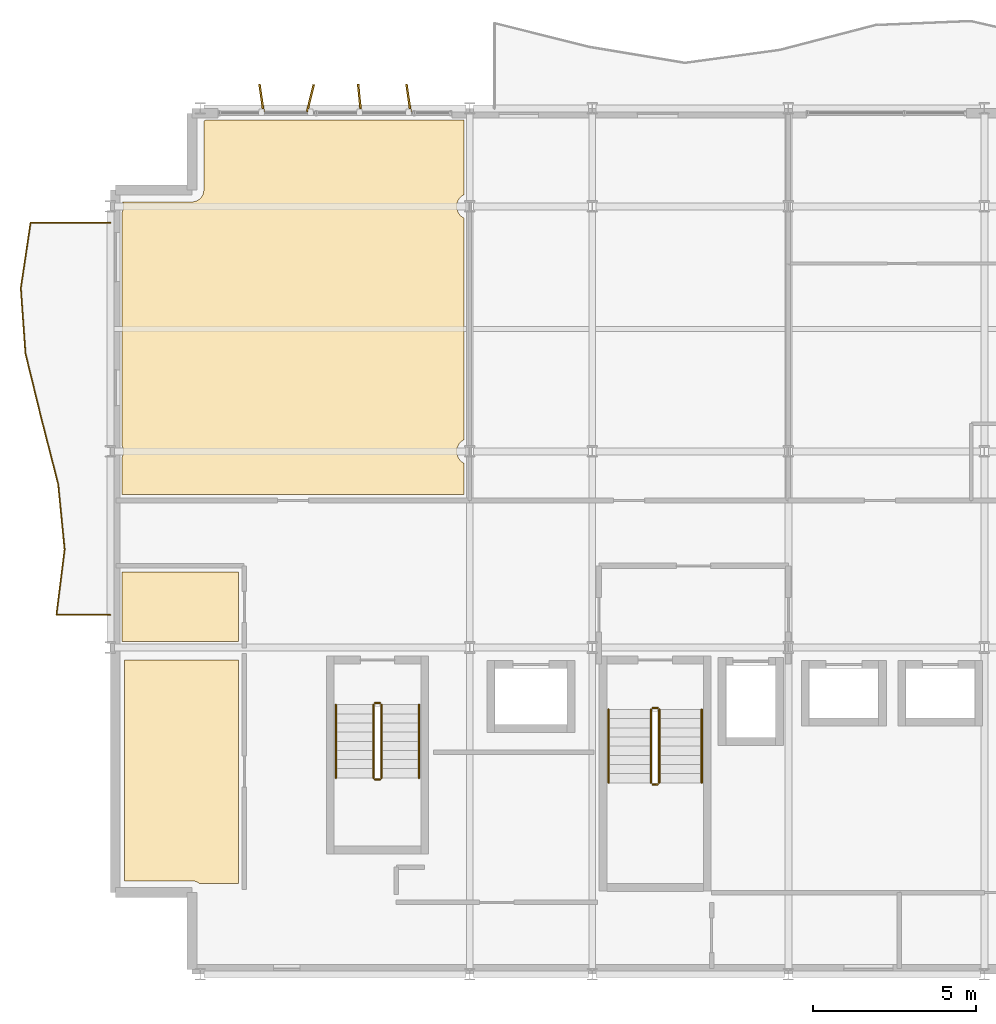
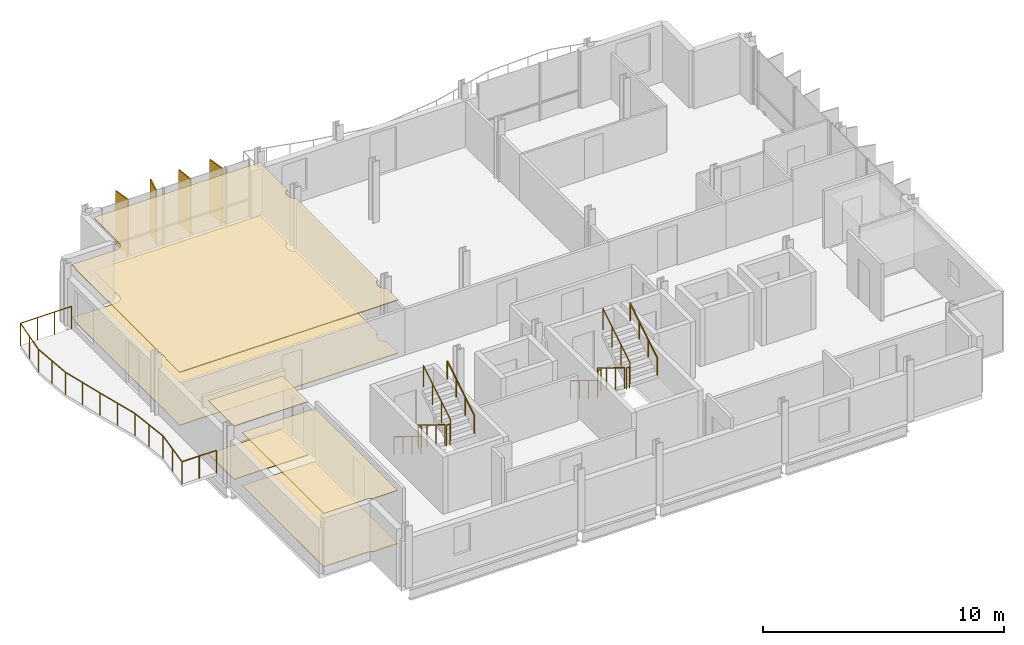
# One storey, part 11 of 12: 13 railings, 6 coverings, 4 shading devices.
"""IFC4 building model written with IfcOpenShell, lengths in metres."""

from ifc_helpers import new_model, si_unit, direction, frame, origin, origin_2d, place, context, subcontext, project, spatial, polyline, rectangle, circle, outline, extrude, material, layer, layer_set, type_object, element, save


model = new_model("IFC4")

# Units and contexts
model_context = context("Model", 3, precision=1e-05, world=origin(), true_north=direction((0.0, 1.0)))
body_context = subcontext(model_context, "Body", "Model", "MODEL_VIEW")
ifc_project = project(units=[si_unit("LENGTHUNIT", "METRE"), si_unit("AREAUNIT", "SQUARE_METRE"), si_unit("VOLUMEUNIT", "CUBIC_METRE"), si_unit("PLANEANGLEUNIT", "RADIAN"), si_unit("MASSUNIT", "GRAM", prefix="KILO")], contexts=[model_context])

# Site, building, storey
site_placement = place(None, origin())
site = spatial("IfcSite", under=ifc_project, at=site_placement, CompositionType="ELEMENT")
building_placement = place(site_placement, origin())
building = spatial("IfcBuilding", under=site, at=building_placement, Name="Brevholm Reach", CompositionType="ELEMENT")
storey_placement = place(building_placement, frame((0.0, 0.0, 230.39990234375)))
storey = spatial("IfcBuildingStorey", under=building, at=storey_placement, Name="L70", CompositionType="ELEMENT", Elevation=230.39990234375)

# Coverings
ifc_material_1 = material(Name="Perforated Mineral-Fibre Class-A Acoustic Suspended Ceiling", Category="gypsum")
ifc_layer_1 = layer(ifc_material_1, 0.044921875)
ifc_layer_set_1 = layer_set([ifc_layer_1], Name="Perforated Mineral-Fibre Class-A Acoustic Suspended Ceiling")
covering_type_1 = type_object("IfcCoveringType", Name="COV-CLG-AC", PredefinedType="CEILING", material=ifc_layer_set_1)
covering_1_placement = place(storey_placement, frame((0.0, 0.0, 2.675048828125)))
element("IfcCovering", 1, at=covering_1_placement, inside=storey, type_object=covering_type_1, Name="L70 Suspended Ceiling L70-23", PredefinedType="CEILING", context=body_context, shape_type="SweptSolid", body=[
    extrude(outline(polyline([(27.610107421875, 15.82666015625), (27.61962890625, 15.846923828125), (27.6328125, 15.8837890625), (27.642333984375, 15.922119140625), (27.648193359375, 15.960693359375), (27.64990234375, 16.0), (27.648193359375, 16.039306640625), (27.642333984375, 16.077880859375), (27.6328125, 16.1162109375), (27.61962890625, 16.153076171875), (27.610107421875, 16.17333984375), (27.610107421875, 23.32666015625), (27.61962890625, 23.346923828125), (27.6328125, 23.3837890625), (27.642333984375, 23.422119140625), (27.648193359375, 23.460693359375), (27.64990234375, 23.5), (27.648193359375, 23.539306640625), (27.642333984375, 23.577880859375), (27.6328125, 23.6162109375), (27.624267578125, 23.639892578125), (29.75, 23.639892578125), (29.767822265625, 23.640869140625), (29.802978515625, 23.644287109375), (29.8203125, 23.64697265625), (29.837158203125, 23.651123046875), (29.870849609375, 23.661376953125), (29.8876953125, 23.667236328125), (29.90380859375, 23.6748046875), (29.934814453125, 23.69140625), (29.949951171875, 23.70068359375), (29.964111328125, 23.711181640625), (29.991455078125, 23.7333984375), (30.004638671875, 23.745361328125), (30.0166015625, 23.758544921875), (30.038818359375, 23.785888671875), (30.04931640625, 23.800048828125), (30.05859375, 23.815185546875), (30.0751953125, 23.84619140625), (30.082763671875, 23.8623046875), (30.088623046875, 23.879150390625), (30.098876953125, 23.912841796875), (30.10302734375, 23.9296875), (30.105712890625, 23.947021484375), (30.109130859375, 23.982177734375), (30.110107421875, 24.0), (30.110107421875, 26.11572265625), (30.1162109375, 26.1171875), (30.153076171875, 26.13037109375), (30.17333984375, 26.139892578125), (38.070068359375, 26.139892578125), (38.070068359375, 23.856689453125), (38.061279296875, 23.852783203125), (38.02783203125, 23.83251953125), (37.99609375, 23.80908203125), (37.96728515625, 23.78271484375), (37.94091796875, 23.75390625), (37.91748046875, 23.72216796875), (37.897216796875, 23.688720703125), (37.88037109375, 23.653076171875), (37.8671875, 23.6162109375), (37.857666015625, 23.577880859375), (37.851806640625, 23.539306640625), (37.85009765625, 23.5), (37.851806640625, 23.460693359375), (37.857666015625, 23.422119140625), (37.8671875, 23.3837890625), (37.88037109375, 23.346923828125), (37.897216796875, 23.311279296875), (37.91748046875, 23.27783203125), (37.94091796875, 23.24609375), (37.96728515625, 23.21728515625), (37.99609375, 23.19091796875), (38.02783203125, 23.16748046875), (38.061279296875, 23.147216796875), (38.070068359375, 23.143310546875), (38.070068359375, 16.356689453125), (38.061279296875, 16.352783203125), (38.02783203125, 16.33251953125), (37.99609375, 16.30908203125), (37.96728515625, 16.28271484375), (37.94091796875, 16.25390625), (37.91748046875, 16.22216796875), (37.897216796875, 16.188720703125), (37.88037109375, 16.153076171875), (37.8671875, 16.1162109375), (37.857666015625, 16.077880859375), (37.851806640625, 16.039306640625), (37.85009765625, 16.0), (37.851806640625, 15.960693359375), (37.857666015625, 15.922119140625), (37.8671875, 15.8837890625), (37.88037109375, 15.846923828125), (37.897216796875, 15.811279296875), (37.91748046875, 15.77783203125), (37.94091796875, 15.74609375), (37.96728515625, 15.71728515625), (37.99609375, 15.69091796875), (38.02783203125, 15.66748046875), (38.061279296875, 15.647216796875), (38.070068359375, 15.643310546875), (38.070068359375, 14.68408203125), (27.610107421875, 14.68408203125), (27.610107421875, 15.82666015625)])), origin(), (0.0, 0.0, 1.0), 0.045166015625),
])
ifc_material_2 = material(Name="Moisture-Resistant Skimmed Gypsum Plasterboard Ceiling", Category="gypsum")
ifc_layer_2 = layer(ifc_material_2, 0.030029296875)
ifc_layer_set_2 = layer_set([ifc_layer_2], Name="Moisture-Resistant Skimmed Gypsum Plasterboard Ceiling")
covering_type_2 = type_object("IfcCoveringType", Name="COV-CLG-GYP", PredefinedType="CEILING", material=ifc_layer_set_2)
covering_2_placement = place(storey_placement, frame((0.0, 0.0, 2.690185546875)))
element("IfcCovering", 2, at=covering_2_placement, inside=storey, type_object=covering_type_2, Name="L70 Suspended Ceiling L70-11", PredefinedType="CEILING", context=body_context, shape_type="SweptSolid", body=[
    extrude(outline(polyline([(31.166015625, 9.6201171875), (31.166015625, 2.780029296875), (29.9736328125, 2.780029296875), (29.94189453125, 2.803466796875), (29.92724609375, 2.81298828125), (29.911865234375, 2.821533203125), (29.8955078125, 2.828125), (29.845703125, 2.845947265625), (29.82470703125, 2.85205078125), (29.802978515625, 2.855712890625), (29.767822265625, 2.859130859375), (29.75, 2.860107421875), (27.679931640625, 2.860107421875), (27.679931640625, 9.6201171875), (31.166015625, 9.6201171875)])), origin(), (0.0, 0.0, 1.0), 0.030029296875),
])
covering_3_placement = place(storey_placement, frame((0.0, 0.0, 2.690185546875)))
element("IfcCovering", 3, at=covering_3_placement, inside=storey, type_object=covering_type_2, Name="L70 Suspended Ceiling L70-22", PredefinedType="CEILING", context=body_context, shape_type="SweptSolid", body=[
    extrude(outline(polyline([(27.610107421875, 10.179931640625), (27.610107421875, 12.31591796875), (31.166015625, 12.31591796875), (31.166015625, 10.179931640625), (27.610107421875, 10.179931640625)])), origin(), (0.0, 0.0, 1.0), 0.030029296875),
])
ifc_material_3 = material(Name="Honed Portland-Aggregate Resin Terrazzo Flooring", Category="concrete")
ifc_layer_3 = layer(ifc_material_3, 0.031982421875)
ifc_layer_set_3 = layer_set([ifc_layer_3], Name="Honed Portland-Aggregate Resin Terrazzo Flooring")
covering_type_3 = type_object("IfcCoveringType", Name="COV-FLR-TRZ", PredefinedType="FLOORING", material=ifc_layer_set_3)
covering_4_placement = place(storey_placement, origin())
element("IfcCovering", 4, at=covering_4_placement, inside=storey, type_object=covering_type_3, Name="L70 Floor Finish L70-11", PredefinedType="FLOORING", context=body_context, shape_type="SweptSolid", body=[
    extrude(outline(polyline([(31.166015625, 9.6201171875), (31.166015625, 2.780029296875), (29.9736328125, 2.780029296875), (29.94189453125, 2.803466796875), (29.92724609375, 2.81298828125), (29.911865234375, 2.821533203125), (29.8955078125, 2.828125), (29.845703125, 2.845947265625), (29.82470703125, 2.85205078125), (29.802978515625, 2.855712890625), (29.767822265625, 2.859130859375), (29.75, 2.860107421875), (27.679931640625, 2.860107421875), (27.679931640625, 9.6201171875), (31.166015625, 9.6201171875)])), origin(), (0.0, 0.0, 1.0), 0.031982421875),
])
covering_5_placement = place(storey_placement, origin())
element("IfcCovering", 5, at=covering_5_placement, inside=storey, type_object=covering_type_3, Name="L70 Floor Finish L70-22", PredefinedType="FLOORING", context=body_context, shape_type="SweptSolid", body=[
    extrude(outline(polyline([(27.610107421875, 10.179931640625), (27.610107421875, 12.31591796875), (31.166015625, 12.31591796875), (31.166015625, 10.179931640625), (27.610107421875, 10.179931640625)])), origin(), (0.0, 0.0, 1.0), 0.031982421875),
])
covering_6_placement = place(storey_placement, origin())
element("IfcCovering", 6, at=covering_6_placement, inside=storey, type_object=covering_type_3, Name="L70 Floor Finish L70-23", PredefinedType="FLOORING", context=body_context, shape_type="SweptSolid", body=[
    extrude(outline(polyline([(27.610107421875, 15.82666015625), (27.61962890625, 15.846923828125), (27.6328125, 15.8837890625), (27.642333984375, 15.922119140625), (27.648193359375, 15.960693359375), (27.64990234375, 16.0), (27.648193359375, 16.039306640625), (27.642333984375, 16.077880859375), (27.6328125, 16.1162109375), (27.61962890625, 16.153076171875), (27.610107421875, 16.17333984375), (27.610107421875, 23.32666015625), (27.61962890625, 23.346923828125), (27.6328125, 23.3837890625), (27.642333984375, 23.422119140625), (27.648193359375, 23.460693359375), (27.64990234375, 23.5), (27.648193359375, 23.539306640625), (27.642333984375, 23.577880859375), (27.6328125, 23.6162109375), (27.624267578125, 23.639892578125), (29.75, 23.639892578125), (29.767822265625, 23.640869140625), (29.802978515625, 23.644287109375), (29.8203125, 23.64697265625), (29.837158203125, 23.651123046875), (29.870849609375, 23.661376953125), (29.8876953125, 23.667236328125), (29.90380859375, 23.6748046875), (29.934814453125, 23.69140625), (29.949951171875, 23.70068359375), (29.964111328125, 23.711181640625), (29.991455078125, 23.7333984375), (30.004638671875, 23.745361328125), (30.0166015625, 23.758544921875), (30.038818359375, 23.785888671875), (30.04931640625, 23.800048828125), (30.05859375, 23.815185546875), (30.0751953125, 23.84619140625), (30.082763671875, 23.8623046875), (30.088623046875, 23.879150390625), (30.098876953125, 23.912841796875), (30.10302734375, 23.9296875), (30.105712890625, 23.947021484375), (30.109130859375, 23.982177734375), (30.110107421875, 24.0), (30.110107421875, 26.11572265625), (30.1162109375, 26.1171875), (30.153076171875, 26.13037109375), (30.17333984375, 26.139892578125), (38.070068359375, 26.139892578125), (38.070068359375, 23.856689453125), (38.061279296875, 23.852783203125), (38.02783203125, 23.83251953125), (37.99609375, 23.80908203125), (37.96728515625, 23.78271484375), (37.94091796875, 23.75390625), (37.91748046875, 23.72216796875), (37.897216796875, 23.688720703125), (37.88037109375, 23.653076171875), (37.8671875, 23.6162109375), (37.857666015625, 23.577880859375), (37.851806640625, 23.539306640625), (37.85009765625, 23.5), (37.851806640625, 23.460693359375), (37.857666015625, 23.422119140625), (37.8671875, 23.3837890625), (37.88037109375, 23.346923828125), (37.897216796875, 23.311279296875), (37.91748046875, 23.27783203125), (37.94091796875, 23.24609375), (37.96728515625, 23.21728515625), (37.99609375, 23.19091796875), (38.02783203125, 23.16748046875), (38.061279296875, 23.147216796875), (38.070068359375, 23.143310546875), (38.070068359375, 16.356689453125), (38.061279296875, 16.352783203125), (38.02783203125, 16.33251953125), (37.99609375, 16.30908203125), (37.96728515625, 16.28271484375), (37.94091796875, 16.25390625), (37.91748046875, 16.22216796875), (37.897216796875, 16.188720703125), (37.88037109375, 16.153076171875), (37.8671875, 16.1162109375), (37.857666015625, 16.077880859375), (37.851806640625, 16.039306640625), (37.85009765625, 16.0), (37.851806640625, 15.960693359375), (37.857666015625, 15.922119140625), (37.8671875, 15.8837890625), (37.88037109375, 15.846923828125), (37.897216796875, 15.811279296875), (37.91748046875, 15.77783203125), (37.94091796875, 15.74609375), (37.96728515625, 15.71728515625), (37.99609375, 15.69091796875), (38.02783203125, 15.66748046875), (38.061279296875, 15.647216796875), (38.070068359375, 15.643310546875), (38.070068359375, 14.68408203125), (27.610107421875, 14.68408203125), (27.610107421875, 15.82666015625)])), origin(), (0.0, 0.0, 1.0), 0.031982421875),
])

# Railings
ifc_material_4 = material(Name="Brushed Stainless Steel EN 1.4401 and Laminated Glass", Category="steel")
railing_type_1 = type_object("IfcRailingType", Name="RAL-BALC-1150", PredefinedType="BALUSTRADE", material=ifc_material_4)
railing_1_placement = place(storey_placement, frame((27.25, 23.0, 0.0)))
element("IfcRailing", 7, at=railing_1_placement, inside=storey, type_object=railing_type_1, Name="L70 Guard Balustrade RAL-L70-BAL-SLOT", PredefinedType="BALUSTRADE", context=body_context, shape_type="SweptSolid", body=[
    extrude(circle(Radius=0.02392578125, at=origin_2d()), frame((0.0, 0.0, 1.1259765625), z_axis=(-1.0, 0.0, 0.0), x_axis=(0.0, -1.0, 0.0)), (0.0, 0.0, 1.0), 2.442626953125),
    extrude(circle(Radius=0.02392578125, at=origin_2d()), frame((-2.442626953125, 0.0, 1.1259765625), z_axis=(-0.147891766469, -0.989003551768, 0.0), x_axis=(0.989003551768, -0.147891766469, 0.0)), (0.0, 0.0, 1.0), 2.022216796875),
    extrude(circle(Radius=0.02392578125, at=origin_2d()), frame((-2.74169921875, -2.0, 1.1259765625), z_axis=(0.07086630237, -0.997485823051, 0.0), x_axis=(0.997485823051, 0.07086630237, 0.0)), (0.0, 0.0, 1.0), 2.005126953125),
    extrude(circle(Radius=0.02392578125, at=origin_2d()), frame((-2.599609375, -4.0, 1.1259765625), z_axis=(0.23762216248, -0.971357662192, 0.0), x_axis=(0.971357662192, 0.23762216248, 0.0)), (0.0, 0.0, 1.0), 2.05908203125),
    extrude(circle(Radius=0.02392578125, at=origin_2d()), frame((-2.1103515625, -6.0, 1.1259765625), z_axis=(0.248318451278, -0.968678453748, 0.0), x_axis=(0.968678453748, 0.248318451278, 0.0)), (0.0, 0.0, 1.0), 2.064697265625),
    extrude(circle(Radius=0.02392578125, at=origin_2d()), frame((-1.59765625, -8.0, 1.1259765625), z_axis=(0.097915884232, -0.995194694326, 0.0), x_axis=(0.995194694326, 0.097915884232, 0.0)), (0.0, 0.0, 1.0), 2.009765625),
    extrude(circle(Radius=0.02392578125, at=origin_2d()), frame((-1.40087890625, -10.0, 1.1259765625), z_axis=(-0.123676917918, -0.992322538278, 0.0), x_axis=(0.992322538278, -0.123676917918, 0.0)), (0.0, 0.0, 1.0), 2.015380859375),
    extrude(circle(Radius=0.02392578125, at=origin_2d()), frame((-1.650146484375, -12.0, 1.1259765625), z_axis=(1.0, 0.0, 0.0), x_axis=(0.0, 1.0, 0.0)), (0.0, 0.0, 1.0), 1.650146484375),
    extrude(circle(Radius=0.02099609375, at=origin_2d()), origin(), (0.0, 0.0, 1.0), 1.101806640625),
    extrude(circle(Radius=0.02099609375, at=origin_2d()), frame((-0.814208984375, 0.0, 0.0)), (0.0, 0.0, 1.0), 1.101806640625),
    extrude(circle(Radius=0.02099609375, at=origin_2d()), frame((-1.62841796875, 0.0, 0.0)), (0.0, 0.0, 1.0), 1.101806640625),
    extrude(circle(Radius=0.02099609375, at=origin_2d()), frame((-2.442626953125, 0.0, 0.0)), (0.0, 0.0, 1.0), 1.101806640625),
    extrude(circle(Radius=0.02099609375, at=origin_2d()), frame((-2.59228515625, -1.0, 0.0)), (0.0, 0.0, 1.0), 1.101806640625),
    extrude(circle(Radius=0.02099609375, at=origin_2d()), frame((-2.74169921875, -2.0, 0.0)), (0.0, 0.0, 1.0), 1.101806640625),
    extrude(circle(Radius=0.02099609375, at=origin_2d()), frame((-2.670654296875, -3.0, 0.0)), (0.0, 0.0, 1.0), 1.101806640625),
    extrude(circle(Radius=0.02099609375, at=origin_2d()), frame((-2.599609375, -4.0, 0.0)), (0.0, 0.0, 1.0), 1.101806640625),
    extrude(circle(Radius=0.02099609375, at=origin_2d()), frame((-2.35498046875, -5.0, 0.0)), (0.0, 0.0, 1.0), 1.101806640625),
    extrude(circle(Radius=0.02099609375, at=origin_2d()), frame((-2.1103515625, -6.0, 0.0)), (0.0, 0.0, 1.0), 1.101806640625),
    extrude(circle(Radius=0.02099609375, at=origin_2d()), frame((-1.85400390625, -7.0, 0.0)), (0.0, 0.0, 1.0), 1.101806640625),
    extrude(circle(Radius=0.02099609375, at=origin_2d()), frame((-1.59765625, -8.0, 0.0)), (0.0, 0.0, 1.0), 1.101806640625),
    extrude(circle(Radius=0.02099609375, at=origin_2d()), frame((-1.499267578125, -9.0, 0.0)), (0.0, 0.0, 1.0), 1.101806640625),
    extrude(circle(Radius=0.02099609375, at=origin_2d()), frame((-1.40087890625, -10.0, 0.0)), (0.0, 0.0, 1.0), 1.101806640625),
    extrude(circle(Radius=0.02099609375, at=origin_2d()), frame((-1.525390625, -11.0, 0.0)), (0.0, 0.0, 1.0), 1.101806640625),
    extrude(circle(Radius=0.02099609375, at=origin_2d()), frame((-1.650146484375, -12.0, 0.0)), (0.0, 0.0, 1.0), 1.101806640625),
    extrude(circle(Radius=0.02099609375, at=origin_2d()), frame((-0.8251953125, -12.0, 0.0)), (0.0, 0.0, 1.0), 1.101806640625),
    extrude(circle(Radius=0.02099609375, at=origin_2d()), frame((0.0, -12.0, 0.0)), (0.0, 0.0, 1.0), 1.101806640625),
])
ifc_material_5 = material(Name="Brushed Stainless Steel EN 1.4401 Continuous Handrail", Category="steel")
railing_type_2 = type_object("IfcRailingType", Name="RAL-HND-950", PredefinedType="HANDRAIL", material=ifc_material_5)
railing_2_placement = place(storey_placement, frame((42.5, 8.10009765625, 0.17236328125)))
element("IfcRailing", 8, at=railing_2_placement, inside=storey, type_object=railing_type_2, Name="L70 ST-2 stair handrail 1", PredefinedType="HANDRAIL", context=body_context, shape_type="SweptSolid", body=[
    extrude(circle(Radius=0.02392578125, at=origin_2d()), frame((0.0, 0.0, 0.8857421875), z_axis=(0.0, -0.85178898068, 0.523885037382), x_axis=(1.0, 0.0, 0.0)), (0.0, 0.0, 1.0), 2.629638671875),
    extrude(circle(Radius=0.02099609375, at=origin_2d()), origin(), (0.0, 0.0, 1.0), 0.86181640625),
    extrude(circle(Radius=0.02099609375, at=origin_2d()), frame((0.0, -0.74658203125, 0.459228515625)), (0.0, 0.0, 1.0), 0.86181640625),
    extrude(circle(Radius=0.02099609375, at=origin_2d()), frame((0.0, -1.493408203125, 0.91845703125)), (0.0, 0.0, 1.0), 0.86181640625),
    extrude(circle(Radius=0.02099609375, at=origin_2d()), frame((0.0, -2.239990234375, 1.377685546875)), (0.0, 0.0, 1.0), 0.86181640625),
])
railing_3_placement = place(storey_placement, frame((45.35009765625, 5.860107421875, 1.722412109375)))
element("IfcRailing", 9, at=railing_3_placement, inside=storey, type_object=railing_type_2, Name="L70 ST-2 stair handrail 2", PredefinedType="HANDRAIL", context=body_context, shape_type="SweptSolid", body=[
    extrude(circle(Radius=0.02392578125, at=origin_2d()), frame((0.0, 0.0, 0.8857421875), z_axis=(0.0, 0.85178898068, 0.523885037382), x_axis=(-1.0, 0.0, 0.0)), (0.0, 0.0, 1.0), 2.629638671875),
    extrude(circle(Radius=0.02099609375, at=origin_2d()), origin(), (0.0, 0.0, 1.0), 0.86181640625),
    extrude(circle(Radius=0.02099609375, at=origin_2d()), frame((0.0, 0.74658203125, 0.459228515625)), (0.0, 0.0, 1.0), 0.86181640625),
    extrude(circle(Radius=0.02099609375, at=origin_2d()), frame((0.0, 1.493408203125, 0.91845703125)), (0.0, 0.0, 1.0), 0.86181640625),
    extrude(circle(Radius=0.02099609375, at=origin_2d()), frame((0.0, 2.239990234375, 1.377685546875)), (0.0, 0.0, 1.0), 0.86181640625),
])
railing_4_placement = place(storey_placement, frame((34.14990234375, 8.25, 0.17236328125)))
element("IfcRailing", 10, at=railing_4_placement, inside=storey, type_object=railing_type_2, Name="L70 ST-3 stair handrail 1", PredefinedType="HANDRAIL", context=body_context, shape_type="SweptSolid", body=[
    extrude(circle(Radius=0.02392578125, at=origin_2d()), frame((0.0, 0.0, 0.8857421875), z_axis=(0.0, -0.85178898068, 0.523885037382), x_axis=(1.0, 0.0, 0.0)), (0.0, 0.0, 1.0), 2.629638671875),
    extrude(circle(Radius=0.02099609375, at=origin_2d()), origin(), (0.0, 0.0, 1.0), 0.86181640625),
    extrude(circle(Radius=0.02099609375, at=origin_2d()), frame((0.0, -0.74658203125, 0.459228515625)), (0.0, 0.0, 1.0), 0.86181640625),
    extrude(circle(Radius=0.02099609375, at=origin_2d()), frame((0.0, -1.493408203125, 0.91845703125)), (0.0, 0.0, 1.0), 0.86181640625),
    extrude(circle(Radius=0.02099609375, at=origin_2d()), frame((0.0, -2.239990234375, 1.377685546875)), (0.0, 0.0, 1.0), 0.86181640625),
])
railing_5_placement = place(storey_placement, frame((36.699951171875, 6.010009765625, 1.722412109375)))
element("IfcRailing", 11, at=railing_5_placement, inside=storey, type_object=railing_type_2, Name="L70 ST-3 stair handrail 2", PredefinedType="HANDRAIL", context=body_context, shape_type="SweptSolid", body=[
    extrude(circle(Radius=0.02392578125, at=origin_2d()), frame((0.0, 0.0, 0.8857421875), z_axis=(0.0, 0.85178898068, 0.523885037382), x_axis=(-1.0, 0.0, 0.0)), (0.0, 0.0, 1.0), 2.629638671875),
    extrude(circle(Radius=0.02099609375, at=origin_2d()), origin(), (0.0, 0.0, 1.0), 0.86181640625),
    extrude(circle(Radius=0.02099609375, at=origin_2d()), frame((0.0, 0.74658203125, 0.459228515625)), (0.0, 0.0, 1.0), 0.86181640625),
    extrude(circle(Radius=0.02099609375, at=origin_2d()), frame((0.0, 1.493408203125, 0.91845703125)), (0.0, 0.0, 1.0), 0.86181640625),
    extrude(circle(Radius=0.02099609375, at=origin_2d()), frame((0.0, 2.239990234375, 1.377685546875)), (0.0, 0.0, 1.0), 0.86181640625),
])
ifc_material_6 = material(Name="Painted Tubular Galvanised Steel S275JR Stair Guard", Category="steel")
railing_type_3 = type_object("IfcRailingType", Name="RAL-STG-1120", PredefinedType="BALUSTRADE", material=ifc_material_6)
railing_6_placement = place(storey_placement, frame((43.800048828125, 8.10009765625, 0.17236328125)))
element("IfcRailing", 12, at=railing_6_placement, inside=storey, type_object=railing_type_3, Name="L70 ST-2 stair guard 1", PredefinedType="BALUSTRADE", context=body_context, shape_type="SweptSolid", body=[
    extrude(circle(Radius=0.02392578125, at=origin_2d()), frame((0.0, 0.0, 1.076171875), z_axis=(0.0, -0.85178898068, 0.523885037382), x_axis=(1.0, 0.0, 0.0)), (0.0, 0.0, 1.0), 2.629638671875),
    extrude(circle(Radius=0.02099609375, at=origin_2d()), origin(), (0.0, 0.0, 1.0), 1.052001953125),
    extrude(circle(Radius=0.02099609375, at=origin_2d()), frame((0.0, -0.74658203125, 0.459228515625)), (0.0, 0.0, 1.0), 1.052001953125),
    extrude(circle(Radius=0.02099609375, at=origin_2d()), frame((0.0, -1.493408203125, 0.91845703125)), (0.0, 0.0, 1.0), 1.052001953125),
    extrude(circle(Radius=0.02099609375, at=origin_2d()), frame((0.0, -2.239990234375, 1.377685546875)), (0.0, 0.0, 1.0), 1.052001953125),
])
railing_7_placement = place(storey_placement, frame((43.85009765625, 5.81005859375, 1.550048828125)))
element("IfcRailing", 13, at=railing_7_placement, inside=storey, type_object=railing_type_3, Name="L70 ST-2 stair guard 2", PredefinedType="BALUSTRADE", context=body_context, shape_type="SweptSolid", body=[
    extrude(circle(Radius=0.02392578125, at=origin_2d()), frame((0.0, 0.0, 1.076171875), z_axis=(1.0, 0.0, 0.0), x_axis=(0.0, 1.0, 0.0)), (0.0, 0.0, 1.0), 0.14990234375),
    extrude(circle(Radius=0.02099609375, at=origin_2d()), origin(), (0.0, 0.0, 1.0), 1.052001953125),
    extrude(circle(Radius=0.02099609375, at=origin_2d()), frame((0.14990234375, 0.0, 0.0)), (0.0, 0.0, 1.0), 1.052001953125),
])
railing_8_placement = place(storey_placement, frame((44.050048828125, 5.860107421875, 1.722412109375)))
element("IfcRailing", 14, at=railing_8_placement, inside=storey, type_object=railing_type_3, Name="L70 ST-2 stair guard 3", PredefinedType="BALUSTRADE", context=body_context, shape_type="SweptSolid", body=[
    extrude(circle(Radius=0.02392578125, at=origin_2d()), frame((0.0, 0.0, 1.076171875), z_axis=(0.0, 0.85178898068, 0.523885037382), x_axis=(-1.0, 0.0, 0.0)), (0.0, 0.0, 1.0), 2.629638671875),
    extrude(circle(Radius=0.02099609375, at=origin_2d()), origin(), (0.0, 0.0, 1.0), 1.052001953125),
    extrude(circle(Radius=0.02099609375, at=origin_2d()), frame((0.0, 0.74658203125, 0.459228515625)), (0.0, 0.0, 1.0), 1.052001953125),
    extrude(circle(Radius=0.02099609375, at=origin_2d()), frame((0.0, 1.493408203125, 0.91845703125)), (0.0, 0.0, 1.0), 1.052001953125),
    extrude(circle(Radius=0.02099609375, at=origin_2d()), frame((0.0, 2.239990234375, 1.377685546875)), (0.0, 0.0, 1.0), 1.052001953125),
])
railing_9_placement = place(storey_placement, frame((43.85009765625, 8.14990234375, 0.0)))
element("IfcRailing", 15, at=railing_9_placement, inside=storey, type_object=railing_type_3, Name="L70 ST-2 stair guard 4", PredefinedType="BALUSTRADE", context=body_context, shape_type="SweptSolid", body=[
    extrude(circle(Radius=0.02392578125, at=origin_2d()), frame((0.0, 0.0, 1.076171875), z_axis=(1.0, 0.0, 0.0), x_axis=(0.0, 1.0, 0.0)), (0.0, 0.0, 1.0), 0.14990234375),
    extrude(circle(Radius=0.02099609375, at=origin_2d()), origin(), (0.0, 0.0, 1.0), 1.052001953125),
    extrude(circle(Radius=0.02099609375, at=origin_2d()), frame((0.14990234375, 0.0, 0.0)), (0.0, 0.0, 1.0), 1.052001953125),
])
railing_10_placement = place(storey_placement, frame((35.300048828125, 8.25, 0.17236328125)))
element("IfcRailing", 16, at=railing_10_placement, inside=storey, type_object=railing_type_3, Name="L70 ST-3 stair guard 1", PredefinedType="BALUSTRADE", context=body_context, shape_type="SweptSolid", body=[
    extrude(circle(Radius=0.02392578125, at=origin_2d()), frame((0.0, 0.0, 1.076171875), z_axis=(0.0, -0.85178898068, 0.523885037382), x_axis=(1.0, 0.0, 0.0)), (0.0, 0.0, 1.0), 2.629638671875),
    extrude(circle(Radius=0.02099609375, at=origin_2d()), origin(), (0.0, 0.0, 1.0), 1.052001953125),
    extrude(circle(Radius=0.02099609375, at=origin_2d()), frame((0.0, -0.74658203125, 0.459228515625)), (0.0, 0.0, 1.0), 1.052001953125),
    extrude(circle(Radius=0.02099609375, at=origin_2d()), frame((0.0, -1.493408203125, 0.91845703125)), (0.0, 0.0, 1.0), 1.052001953125),
    extrude(circle(Radius=0.02099609375, at=origin_2d()), frame((0.0, -2.239990234375, 1.377685546875)), (0.0, 0.0, 1.0), 1.052001953125),
])
railing_11_placement = place(storey_placement, frame((35.35009765625, 5.9599609375, 1.550048828125)))
element("IfcRailing", 17, at=railing_11_placement, inside=storey, type_object=railing_type_3, Name="L70 ST-3 stair guard 2", PredefinedType="BALUSTRADE", context=body_context, shape_type="SweptSolid", body=[
    extrude(circle(Radius=0.02392578125, at=origin_2d()), frame((0.0, 0.0, 1.076171875), z_axis=(1.0, 0.0, 0.0), x_axis=(0.0, 1.0, 0.0)), (0.0, 0.0, 1.0), 0.14990234375),
    extrude(circle(Radius=0.02099609375, at=origin_2d()), origin(), (0.0, 0.0, 1.0), 1.052001953125),
    extrude(circle(Radius=0.02099609375, at=origin_2d()), frame((0.14990234375, 0.0, 0.0)), (0.0, 0.0, 1.0), 1.052001953125),
])
railing_12_placement = place(storey_placement, frame((35.550048828125, 6.010009765625, 1.722412109375)))
element("IfcRailing", 18, at=railing_12_placement, inside=storey, type_object=railing_type_3, Name="L70 ST-3 stair guard 3", PredefinedType="BALUSTRADE", context=body_context, shape_type="SweptSolid", body=[
    extrude(circle(Radius=0.02392578125, at=origin_2d()), frame((0.0, 0.0, 1.076171875), z_axis=(0.0, 0.85178898068, 0.523885037382), x_axis=(-1.0, 0.0, 0.0)), (0.0, 0.0, 1.0), 2.629638671875),
    extrude(circle(Radius=0.02099609375, at=origin_2d()), origin(), (0.0, 0.0, 1.0), 1.052001953125),
    extrude(circle(Radius=0.02099609375, at=origin_2d()), frame((0.0, 0.74658203125, 0.459228515625)), (0.0, 0.0, 1.0), 1.052001953125),
    extrude(circle(Radius=0.02099609375, at=origin_2d()), frame((0.0, 1.493408203125, 0.91845703125)), (0.0, 0.0, 1.0), 1.052001953125),
    extrude(circle(Radius=0.02099609375, at=origin_2d()), frame((0.0, 2.239990234375, 1.377685546875)), (0.0, 0.0, 1.0), 1.052001953125),
])
railing_13_placement = place(storey_placement, frame((35.35009765625, 8.300048828125, 0.0)))
element("IfcRailing", 19, at=railing_13_placement, inside=storey, type_object=railing_type_3, Name="L70 ST-3 stair guard 4", PredefinedType="BALUSTRADE", context=body_context, shape_type="SweptSolid", body=[
    extrude(circle(Radius=0.02392578125, at=origin_2d()), frame((0.0, 0.0, 1.076171875), z_axis=(1.0, 0.0, 0.0), x_axis=(0.0, 1.0, 0.0)), (0.0, 0.0, 1.0), 0.14990234375),
    extrude(circle(Radius=0.02099609375, at=origin_2d()), origin(), (0.0, 0.0, 1.0), 1.052001953125),
    extrude(circle(Radius=0.02099609375, at=origin_2d()), frame((0.14990234375, 0.0, 0.0)), (0.0, 0.0, 1.0), 1.052001953125),
])

# Shading devices
ifc_material_7 = material(Name="Perforated Champagne-Bronze Anodised Aluminium", Category="aluminium")
ifc_layer_4 = layer(ifc_material_7, 0.054931640625)
ifc_layer_set_4 = layer_set([ifc_layer_4], Name="Perforated Champagne-Bronze Anodised Aluminium")
shading_device_type = type_object("IfcShadingDeviceType", Name="SHD-FIN-850", PredefinedType="USERDEFINED", material=ifc_layer_set_4)
for number, where, z_axis, x_axis, name in (
    (20, (31.875, 26.81494140625, 0.070068359375), (0.0, 0.0, 1.0), (-0.143993511169, 0.989578631914, 0.0), "L70 Perforated Solar Screen Fin 1"),
    (21, (33.375, 26.81494140625, 0.070068359375), (0.0, 0.0, 1.0), (0.240516049277, 0.970645161756, 0.0), "L70 Perforated Solar Screen Fin 2"),
    (22, (34.875, 26.81494140625, 0.070068359375), (0.0, 0.0, 1.0), (-0.098242938057, 0.995162461672, 0.0), "L70 Perforated Solar Screen Fin 3"),
    (23, (36.375, 26.81494140625, 0.070068359375), (0.0, 0.0, 1.0), (-0.143993511169, 0.989578631914, 0.0), "L70 Perforated Solar Screen Fin 4"),
):
    element("IfcShadingDevice", number, at=place(storey_placement, frame(where, z_axis=z_axis, x_axis=x_axis)), inside=storey, type_object=shading_device_type, Name=name, ObjectType="SCREEN", PredefinedType="USERDEFINED", context=body_context, shape_type="SweptSolid", body=[
        extrude(rectangle(XDim=0.85009765625, YDim=0.054931640625, at=origin_2d()), origin(), (0.0, 0.0, 1.0), 2.75),
    ])

save(model, "model.ifc")
